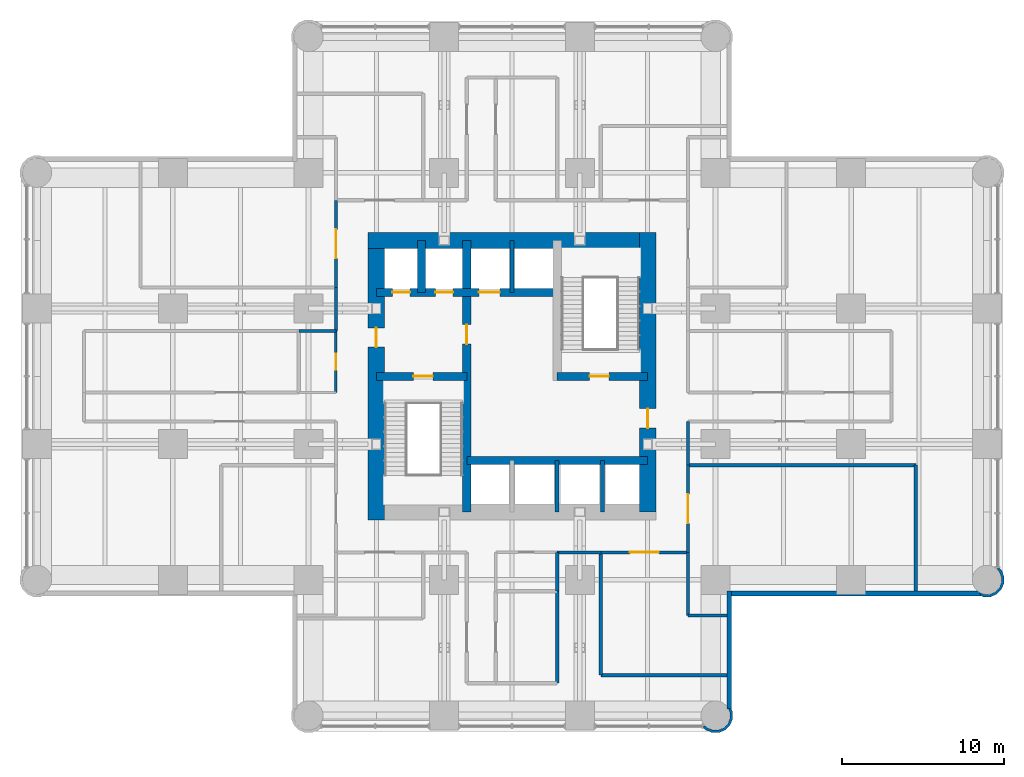
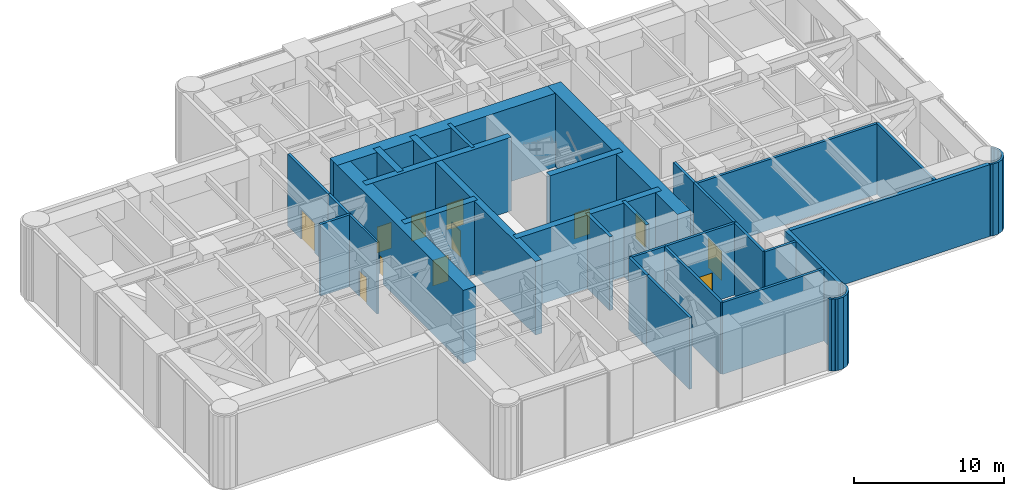
# One storey, part 9 of 13: 32 walls, 12 doors, 12 openings.
"""IFC4 building model written with IfcOpenShell, lengths in metres."""

from ifc_helpers import new_model, si_unit, direction, frame, frame_2d, origin, place, context, subcontext, project, spatial, polyline, rectangle, outline, extrude, material, layer, layer_set, type_object, element, fill, save


model = new_model("IFC4")

# Units and contexts
model_context = context("Model", 3, precision=1e-05, world=origin(), true_north=direction((0.0, 1.0)))
body_context = subcontext(model_context, "Body", "Model", "MODEL_VIEW")
ifc_project = project(units=[si_unit("LENGTHUNIT", "METRE"), si_unit("AREAUNIT", "SQUARE_METRE"), si_unit("VOLUMEUNIT", "CUBIC_METRE"), si_unit("PLANEANGLEUNIT", "RADIAN"), si_unit("MASSUNIT", "GRAM", prefix="KILO")], contexts=[model_context])

# Site, building, storey
site_placement = place(None, origin())
site = spatial("IfcSite", under=ifc_project, at=site_placement, CompositionType="ELEMENT")
building_placement = place(site_placement, origin())
building = spatial("IfcBuilding", under=site, at=building_placement, Name="Torre Alcanfor", CompositionType="ELEMENT")
storey_placement = place(building_placement, frame((0.0, 0.0, 177.300048828125)))
storey = spatial("IfcBuildingStorey", under=building, at=storey_placement, Name="L46", CompositionType="ELEMENT", Elevation=177.300048828125)

# Wall, opening, door
ifc_material_1 = material(Name="Concrete f'c 70 MPa", Category="concrete")
ifc_layer_1 = layer(ifc_material_1, 0.5)
ifc_layer_set_1 = layer_set([ifc_layer_1], Name="Core inner wall 500 f'c70")
wall_type_1 = type_object("IfcWallType", Name="Core inner wall 500 f'c70", PredefinedType="SHEAR", material=ifc_layer_set_1)
wall_1_placement = place(storey_placement, frame((26.60009765625, 21.0, 0.0), z_axis=(0.0, 0.0, 1.0), x_axis=(0.0, 1.0, 0.0)))
wall_1 = element("IfcWall", 1, at=wall_1_placement, inside=storey, type_object=wall_type_1, Name="Core wall X266 L46", PredefinedType="SHEAR", context=body_context, shape_type="SweptSolid", body=[
    extrude(rectangle(XDim=16.800048828125, YDim=0.5, at=frame_2d((8.39990234375, 0.0))), origin(), (0.0, 0.0, 1.0), 6.0),
])
opening_1_placement = place(wall_1_placement, frame((10.39990234375, 0.0, 0.0)))
opening_1 = element("IfcOpeningElement", 2, at=opening_1_placement, cuts=wall_1, Name="Opening D-L1", PredefinedType="OPENING", context=body_context, shape_type="SweptSolid", body=[
    extrude(rectangle(XDim=1.199951171875, YDim=2.10009765625, at=frame_2d((0.60009765625, 1.050048828125))), frame((0.0, 0.260009765625, 0.0), z_axis=(0.0, -1.0, 0.0), x_axis=(1.0, 0.0, 0.0)), (0.0, 0.0, 1.0), 0.52001953125),
])
ifc_material_2 = material(Name="Galvanised steel sheet ASTM A653", Category="steel")
door_type_1 = type_object("IfcDoorType", Name="Lobby door FD120 1200x2100", OperationType="SINGLE_SWING_LEFT", PredefinedType="DOOR", material=ifc_material_2)
door_1_placement = place(opening_1_placement, origin())
door_1 = element("IfcDoor", 3, at=door_1_placement, inside=storey, type_object=door_type_1, Name="Lift lobby door L46", OperationType="SINGLE_SWING_LEFT", OverallHeight=2.10009765625, OverallWidth=1.199951171875, PredefinedType="DOOR", context=body_context, shape_type="SweptSolid", body=[
    extrude(rectangle(XDim=1.199951171875, YDim=2.10009765625, at=frame_2d((0.60009765625, 1.050048828125))), frame((0.0, 0.02490234375, 0.0), z_axis=(0.0, -1.0, 0.0), x_axis=(1.0, 0.0, 0.0)), (0.0, 0.0, 1.0), 0.050048828125),
])
fill(opening_1, door_1)

wall_2_placement = place(storey_placement, frame((21.0, 29.39990234375, 0.0), z_axis=(0.0, 0.0, 1.0), x_axis=(1.0, 0.0, 0.0)))
wall_2 = element("IfcWall", 4, at=wall_2_placement, inside=storey, type_object=wall_type_1, Name="Core wall Y294W L46", PredefinedType="SHEAR", context=body_context, shape_type="SweptSolid", body=[
    extrude(rectangle(XDim=5.60009765625, YDim=0.5, at=frame_2d((2.800048828125, 0.0))), origin(), (0.0, 0.0, 1.0), 6.0),
])
opening_2_placement = place(wall_2_placement, frame((2.300048828125, 0.0, 0.0)))
opening_2 = element("IfcOpeningElement", 5, at=opening_2_placement, cuts=wall_2, Name="Opening D-S2", PredefinedType="OPENING", context=body_context, shape_type="SweptSolid", body=[
    extrude(rectangle(XDim=1.199951171875, YDim=2.10009765625, at=frame_2d((0.60009765625, 1.050048828125))), frame((0.0, 0.260009765625, 0.0), z_axis=(0.0, -1.0, 0.0), x_axis=(1.0, 0.0, 0.0)), (0.0, 0.0, 1.0), 0.52001953125),
])
ifc_material_3 = material(Name="Galvanised steel sheet ASTM A653", Category="steel")
door_type_2 = type_object("IfcDoorType", Name="Stair enclosure door FD120 1200x2100", OperationType="SINGLE_SWING_LEFT", PredefinedType="DOOR", material=ifc_material_3)
door_2_placement = place(opening_2_placement, frame((1.199951171875, 0.0, 0.0), z_axis=(0.0, 0.0, 1.0), x_axis=(-1.0, 0.0, 0.0)))
door_2 = element("IfcDoor", 6, at=door_2_placement, inside=storey, type_object=door_type_2, Name="Stair S1 door L46", OperationType="SINGLE_SWING_LEFT", OverallHeight=2.10009765625, OverallWidth=1.199951171875, PredefinedType="DOOR", context=body_context, shape_type="SweptSolid", body=[
    extrude(rectangle(XDim=1.199951171875, YDim=2.10009765625, at=frame_2d((0.599853515625, 1.050048828125))), frame((0.0, 0.025146484375, 0.0), z_axis=(0.0, -1.0, 0.0), x_axis=(1.0, 0.0, 0.0)), (0.0, 0.0, 1.0), 0.050048828125),
])
fill(opening_2, door_2)

# Wall, openings, doors
wall_3_placement = place(storey_placement, frame((21.0, 34.60009765625, 0.0), z_axis=(0.0, 0.0, 1.0), x_axis=(1.0, 0.0, 0.0)))
wall_3 = element("IfcWall", 7, at=wall_3_placement, inside=storey, type_object=wall_type_1, Name="Core wall Y346 L46", PredefinedType="SHEAR", context=body_context, shape_type="SweptSolid", body=[
    extrude(rectangle(XDim=11.199951171875, YDim=0.5, at=frame_2d((5.60009765625, 0.0))), origin(), (0.0, 0.0, 1.0), 6.0),
])
opening_3_placement = place(wall_3_placement, frame((1.0, 0.0, 0.0)))
opening_3 = element("IfcOpeningElement", 8, at=opening_3_placement, cuts=wall_3, Name="Opening LD2", PredefinedType="OPENING", context=body_context, shape_type="SweptSolid", body=[
    extrude(rectangle(XDim=1.10009765625, YDim=2.10009765625, at=frame_2d((0.550048828125, 1.050048828125))), frame((0.0, 0.260009765625, 0.0), z_axis=(0.0, -1.0, 0.0), x_axis=(1.0, 0.0, 0.0)), (0.0, 0.0, 1.0), 0.52001953125),
])
opening_4_placement = place(wall_3_placement, frame((3.64990234375, 0.0, 0.0)))
opening_4 = element("IfcOpeningElement", 9, at=opening_4_placement, cuts=wall_3, Name="Opening LD2", PredefinedType="OPENING", context=body_context, shape_type="SweptSolid", body=[
    extrude(rectangle(XDim=1.10009765625, YDim=2.10009765625, at=frame_2d((0.550048828125, 1.050048828125))), frame((0.0, 0.260009765625, 0.0), z_axis=(0.0, -1.0, 0.0), x_axis=(1.0, 0.0, 0.0)), (0.0, 0.0, 1.0), 0.52001953125),
])
opening_5_placement = place(wall_3_placement, frame((6.35009765625, 0.0, 0.0)))
opening_5 = element("IfcOpeningElement", 10, at=opening_5_placement, cuts=wall_3, Name="Opening LD3", PredefinedType="OPENING", context=body_context, shape_type="SweptSolid", body=[
    extrude(rectangle(XDim=1.300048828125, YDim=2.10009765625, at=frame_2d((0.64990234375, 1.050048828125))), frame((0.0, 0.260009765625, 0.0), z_axis=(0.0, -1.0, 0.0), x_axis=(1.0, 0.0, 0.0)), (0.0, 0.0, 1.0), 0.52001953125),
])
ifc_material_4 = material(Name="Galvanised steel sheet ASTM A653", Category="steel")
door_type_3 = type_object("IfcDoorType", Name="Firefighting lift landing door 1100x2100", OperationType="DOUBLE_DOOR_SLIDING", PredefinedType="DOOR", material=ifc_material_4)
door_3_placement = place(opening_3_placement, origin())
door_3 = element("IfcDoor", 11, at=door_3_placement, inside=storey, type_object=door_type_3, Name="Lift landing door FL1 L46", OperationType="DOUBLE_DOOR_SLIDING", OverallHeight=2.10009765625, OverallWidth=1.10009765625, PredefinedType="DOOR", context=body_context, shape_type="SweptSolid", body=[
    extrude(rectangle(XDim=1.10009765625, YDim=2.10009765625, at=frame_2d((0.550048828125, 1.050048828125))), frame((0.0, 0.02490234375, 0.0), z_axis=(0.0, -1.0, 0.0), x_axis=(1.0, 0.0, 0.0)), (0.0, 0.0, 1.0), 0.050048828125),
])
fill(opening_3, door_3)
door_4_placement = place(opening_4_placement, origin())
door_4 = element("IfcDoor", 12, at=door_4_placement, inside=storey, type_object=door_type_3, Name="Lift landing door FL2 L46", OperationType="DOUBLE_DOOR_SLIDING", OverallHeight=2.10009765625, OverallWidth=1.10009765625, PredefinedType="DOOR", context=body_context, shape_type="SweptSolid", body=[
    extrude(rectangle(XDim=1.10009765625, YDim=2.10009765625, at=frame_2d((0.550048828125, 1.050048828125))), frame((0.0, 0.02490234375, 0.0), z_axis=(0.0, -1.0, 0.0), x_axis=(1.0, 0.0, 0.0)), (0.0, 0.0, 1.0), 0.050048828125),
])
fill(opening_4, door_4)
ifc_material_5 = material(Name="Galvanised steel sheet ASTM A653", Category="steel")
door_type_4 = type_object("IfcDoorType", Name="Service lift landing door 1300x2100", OperationType="DOUBLE_DOOR_SLIDING", PredefinedType="DOOR", material=ifc_material_5)
door_5_placement = place(opening_5_placement, origin())
door_5 = element("IfcDoor", 13, at=door_5_placement, inside=storey, type_object=door_type_4, Name="Lift landing door SL1 L46", OperationType="DOUBLE_DOOR_SLIDING", OverallHeight=2.10009765625, OverallWidth=1.300048828125, PredefinedType="DOOR", context=body_context, shape_type="SweptSolid", body=[
    extrude(rectangle(XDim=1.300048828125, YDim=2.10009765625, at=frame_2d((0.64990234375, 1.050048828125))), frame((0.0, 0.02490234375, 0.0), z_axis=(0.0, -1.0, 0.0), x_axis=(1.0, 0.0, 0.0)), (0.0, 0.0, 1.0), 0.050048828125),
])
fill(opening_5, door_5)

# Walls
wall_4_placement = place(storey_placement, frame((23.800048828125, 34.60009765625, 0.0), z_axis=(0.0, 0.0, 1.0), x_axis=(0.0, 1.0, 0.0)))
element("IfcWall", 14, at=wall_4_placement, inside=storey, type_object=wall_type_1, Name="Core wall X238 L46", PredefinedType="SHEAR", context=body_context, shape_type="SweptSolid", body=[
    extrude(rectangle(XDim=3.199951171875, YDim=0.5, at=frame_2d((1.60009765625, 0.0))), origin(), (0.0, 0.0, 1.0), 6.0),
])
wall_5_placement = place(storey_placement, frame((26.60009765625, 24.199951171875, 0.0), z_axis=(0.0, 0.0, 1.0), x_axis=(1.0, 0.0, 0.0)))
element("IfcWall", 15, at=wall_5_placement, inside=storey, type_object=wall_type_1, Name="Core wall Y242 L46", PredefinedType="SHEAR", context=body_context, shape_type="SweptSolid", body=[
    extrude(rectangle(XDim=11.199951171875, YDim=0.5, at=frame_2d((5.60009765625, 0.0))), origin(), (0.0, 0.0, 1.0), 6.0),
])

# Wall, opening, door
wall_6_placement = place(storey_placement, frame((32.199951171875, 29.39990234375, 0.0), z_axis=(0.0, 0.0, 1.0), x_axis=(1.0, 0.0, 0.0)))
wall_6 = element("IfcWall", 16, at=wall_6_placement, inside=storey, type_object=wall_type_1, Name="Core wall Y294E L46", PredefinedType="SHEAR", context=body_context, shape_type="SweptSolid", body=[
    extrude(rectangle(XDim=5.60009765625, YDim=0.5, at=frame_2d((2.800048828125, 0.0))), origin(), (0.0, 0.0, 1.0), 6.0),
])
opening_6_placement = place(wall_6_placement, frame((2.0, 0.0, 0.0)))
opening_6 = element("IfcOpeningElement", 17, at=opening_6_placement, cuts=wall_6, Name="Opening D-S2", PredefinedType="OPENING", context=body_context, shape_type="SweptSolid", body=[
    extrude(rectangle(XDim=1.199951171875, YDim=2.10009765625, at=frame_2d((0.60009765625, 1.050048828125))), frame((0.0, 0.260009765625, 0.0), z_axis=(0.0, -1.0, 0.0), x_axis=(1.0, 0.0, 0.0)), (0.0, 0.0, 1.0), 0.52001953125),
])
door_6_placement = place(opening_6_placement, origin())
door_6 = element("IfcDoor", 18, at=door_6_placement, inside=storey, type_object=door_type_2, Name="Stair S2 door L46", OperationType="SINGLE_SWING_LEFT", OverallHeight=2.10009765625, OverallWidth=1.199951171875, PredefinedType="DOOR", context=body_context, shape_type="SweptSolid", body=[
    extrude(rectangle(XDim=1.199951171875, YDim=2.10009765625, at=frame_2d((0.60009765625, 1.050048828125))), frame((0.0, 0.02490234375, 0.0), z_axis=(0.0, -1.0, 0.0), x_axis=(1.0, 0.0, 0.0)), (0.0, 0.0, 1.0), 0.050048828125),
])
fill(opening_6, door_6)

# Walls
ifc_material_6 = material(Name="Concrete f'c 70 MPa", Category="concrete")
ifc_layer_2 = layer(ifc_material_6, 0.25)
ifc_layer_set_2 = layer_set([ifc_layer_2], Name="Core shaft wall 250 f'c70")
wall_type_2 = type_object("IfcWallType", Name="Core shaft wall 250 f'c70", PredefinedType="SHEAR", material=ifc_layer_set_2)
for number, where, z_axis, x_axis, name in (
    (19, (32.199951171875, 21.0, 0.0), (0.0, 0.0, 1.0), (0.0, 1.0, 0.0), "Core wall X322S L46"),
    (20, (35.0, 21.0, 0.0), (0.0, 0.0, 1.0), (0.0, 1.0, 0.0), "Core wall X350S L46"),
    (21, (29.39990234375, 34.60009765625, 0.0), (0.0, 0.0, 1.0), (0.0, 1.0, 0.0), "Core wall X294N L46"),
):
    element("IfcWall", number, at=place(storey_placement, frame(where, z_axis=z_axis, x_axis=x_axis)), inside=storey, type_object=wall_type_2, Name=name, PredefinedType="SHEAR", context=body_context, shape_type="SweptSolid", body=[
        extrude(rectangle(XDim=3.199951171875, YDim=0.25, at=frame_2d((1.60009765625, 0.0))), origin(), (0.0, 0.0, 1.0), 6.0),
    ])

# Wall, opening, door
ifc_material_7 = material(Name="Concrete f'c 70 MPa", Category="concrete")
ifc_layer_3 = layer(ifc_material_7, 1.0)
ifc_layer_set_3 = layer_set([ifc_layer_3], Name="Core wall 1000 f'c70")
wall_type_3 = type_object("IfcWallType", Name="Core wall 1000 f'c70", PredefinedType="SHEAR", material=ifc_layer_set_3)
wall_7_placement = place(storey_placement, frame((37.800048828125, 21.0, 0.0), z_axis=(0.0, 0.0, 1.0), x_axis=(0.0, 1.0, 0.0)))
wall_7 = element("IfcWall", 22, at=wall_7_placement, inside=storey, type_object=wall_type_3, Name="Core wall OUT-E L46", PredefinedType="SHEAR", context=body_context, shape_type="SweptSolid", body=[
    extrude(rectangle(XDim=17.300048828125, YDim=1.0, at=frame_2d((8.64990234375, 0.0))), origin(), (0.0, 0.0, 1.0), 6.0),
])
opening_7_placement = place(wall_7_placement, frame((5.199951171875, 0.0, 0.0)))
opening_7 = element("IfcOpeningElement", 23, at=opening_7_placement, cuts=wall_7, Name="Opening D-L1", PredefinedType="OPENING", context=body_context, shape_type="SweptSolid", body=[
    extrude(rectangle(XDim=1.199951171875, YDim=2.10009765625, at=frame_2d((0.60009765625, 1.050048828125))), frame((0.0, 0.510009765625, 0.0), z_axis=(0.0, -1.0, 0.0), x_axis=(1.0, 0.0, 0.0)), (0.0, 0.0, 1.0), 1.02001953125),
])
door_7_placement = place(opening_7_placement, origin())
door_7 = element("IfcDoor", 24, at=door_7_placement, inside=storey, type_object=door_type_1, Name="Lift lobby entrance door L46", OperationType="SINGLE_SWING_LEFT", OverallHeight=2.10009765625, OverallWidth=1.199951171875, PredefinedType="DOOR", context=body_context, shape_type="SweptSolid", body=[
    extrude(rectangle(XDim=1.199951171875, YDim=2.10009765625, at=frame_2d((0.60009765625, 1.050048828125))), frame((0.0, 0.02490234375, 0.0), z_axis=(0.0, -1.0, 0.0), x_axis=(1.0, 0.0, 0.0)), (0.0, 0.0, 1.0), 0.050048828125),
])
fill(opening_7, door_7)

# Wall
wall_8_placement = place(storey_placement, frame((37.800048828125, 37.800048828125, 0.0), z_axis=(0.0, 0.0, 1.0), x_axis=(-1.0, 0.0, 0.0)))
element("IfcWall", 25, at=wall_8_placement, inside=storey, type_object=wall_type_3, Name="Core wall OUT-N L46", PredefinedType="SHEAR", context=body_context, shape_type="SweptSolid", body=[
    extrude(rectangle(XDim=17.300048828125, YDim=1.0, at=frame_2d((8.64990234375, 0.0))), origin(), (0.0, 0.0, 1.0), 6.0),
])

# Wall, opening, door
wall_9_placement = place(storey_placement, frame((21.0, 37.800048828125, 0.0), z_axis=(0.0, 0.0, 1.0), x_axis=(0.0, -1.0, 0.0)))
wall_9 = element("IfcWall", 26, at=wall_9_placement, inside=storey, type_object=wall_type_3, Name="Core wall OUT-W L46", PredefinedType="SHEAR", context=body_context, shape_type="SweptSolid", body=[
    extrude(rectangle(XDim=17.300048828125, YDim=1.0, at=frame_2d((8.64990234375, 0.0))), origin(), (0.0, 0.0, 1.0), 6.0),
])
opening_8_placement = place(wall_9_placement, frame((5.39990234375, 0.0, 0.0)))
opening_8 = element("IfcOpeningElement", 27, at=opening_8_placement, cuts=wall_9, Name="Opening D-L1", PredefinedType="OPENING", context=body_context, shape_type="SweptSolid", body=[
    extrude(rectangle(XDim=1.199951171875, YDim=2.10009765625, at=frame_2d((0.60009765625, 1.050048828125))), frame((0.0, 0.510009765625, 0.0), z_axis=(0.0, -1.0, 0.0), x_axis=(1.0, 0.0, 0.0)), (0.0, 0.0, 1.0), 1.02001953125),
])
door_8_placement = place(opening_8_placement, origin())
door_8 = element("IfcDoor", 28, at=door_8_placement, inside=storey, type_object=door_type_1, Name="Firefighting lobby door L46", OperationType="SINGLE_SWING_LEFT", OverallHeight=2.10009765625, OverallWidth=1.199951171875, PredefinedType="DOOR", context=body_context, shape_type="SweptSolid", body=[
    extrude(rectangle(XDim=1.199951171875, YDim=2.10009765625, at=frame_2d((0.60009765625, 1.050048828125))), frame((0.0, 0.02490234375, 0.0), z_axis=(0.0, -1.0, 0.0), x_axis=(1.0, 0.0, 0.0)), (0.0, 0.0, 1.0), 0.050048828125),
])
fill(opening_8, door_8)

# Walls
ifc_material_8 = material(Name="Limestone cladding", Category="masonry")
ifc_layer_4 = layer(ifc_material_8, 0.0400390625, Name="Facing")
ifc_material_9 = material(Name="Ventilated air cavity")
ifc_layer_5 = layer(ifc_material_9, 0.02001953125, ventilated=True, Name="Ventilated joint")
ifc_material_10 = material(Name="Mineral wool insulation", Category="insulation")
ifc_layer_6 = layer(ifc_material_10, 0.10009765625, Name="Insulation")
ifc_material_11 = material(Name="Concrete f'c 35 MPa", Category="concrete")
ifc_layer_7 = layer(ifc_material_11, 0.139892578125, Name="Backing")
ifc_layer_set_4 = layer_set([ifc_layer_4, ifc_layer_5, ifc_layer_6, ifc_layer_7], Name="External wall stone-clad 300")
wall_type_4 = type_object("IfcWallType", Name="External wall stone-clad 300", PredefinedType="SOLIDWALL", material=ifc_layer_set_4)
wall_10_placement = place(storey_placement, frame((42.85009765625, 8.800048828125, 0.0), z_axis=(0.0, 0.0, 1.0), x_axis=(0.0, 1.0, 0.0)))
element("IfcWall", 29, at=wall_10_placement, inside=storey, type_object=wall_type_4, Name="External wall L46 6", PredefinedType="SOLIDWALL", context=body_context, shape_type="SweptSolid", body=[
    extrude(rectangle(XDim=7.300048828125, YDim=0.300048828125, at=frame_2d((3.64990234375, 0.0))), origin(), (0.0, 0.0, 1.0), 5.849853515625),
])
wall_11_placement = place(storey_placement, frame((43.0, 15.949951171875, 0.0), z_axis=(0.0, 0.0, 1.0), x_axis=(1.0, 0.0, 0.0)))
element("IfcWall", 30, at=wall_11_placement, inside=storey, type_object=wall_type_4, Name="External wall L46 7", PredefinedType="SOLIDWALL", context=body_context, shape_type="SweptSolid", body=[
    extrude(rectangle(XDim=15.39990234375, YDim=0.300048828125, at=frame_2d((7.699951171875, 0.0))), origin(), (0.0, 0.0, 1.0), 5.849853515625),
])

# Wall, opening, door
ifc_material_12 = material(Name="Concrete block masonry, hollow blocks NMX-C-404 9 MPa", Category="masonry")
ifc_layer_8 = layer(ifc_material_12, 0.199951171875)
ifc_layer_set_5 = layer_set([ifc_layer_8], Name="Plant room wall 200 EI 60")
wall_type_5 = type_object("IfcWallType", Name="Plant room wall 200 EI 60", PredefinedType="PARTITIONING", material=ifc_layer_set_5)
wall_12_placement = place(storey_placement, frame((40.300048828125, 23.89990234375, 0.0), z_axis=(0.0, 0.0, 1.0), x_axis=(0.0, -1.0, 0.0)))
wall_12 = element("IfcWall", 31, at=wall_12_placement, inside=storey, type_object=wall_type_5, Name="Partition L46-CORR / L46-E1", PredefinedType="PARTITIONING", context=body_context, shape_type="SweptSolid", body=[
    extrude(rectangle(XDim=5.39990234375, YDim=0.199951171875, at=frame_2d((2.699951171875, 0.0))), origin(), (0.0, 0.0, 1.0), 5.849853515625),
])
opening_9_placement = place(wall_12_placement, frame((1.800048828125, 0.0, 0.0)))
opening_9 = element("IfcOpeningElement", 32, at=opening_9_placement, cuts=wall_12, Name="Opening D-P1", PredefinedType="OPENING", context=body_context, shape_type="SweptSolid", body=[
    extrude(rectangle(XDim=1.800048828125, YDim=2.39990234375, at=frame_2d((0.89990234375, 1.199951171875))), frame((0.0, 0.10986328125, 0.0), z_axis=(0.0, -1.0, 0.0), x_axis=(1.0, 0.0, 0.0)), (0.0, 0.0, 1.0), 0.219970703125),
])
ifc_material_13 = material(Name="Galvanised steel sheet ASTM A653", Category="steel")
door_type_5 = type_object("IfcDoorType", Name="Plant room door FD60 1800x2400", OperationType="DOUBLE_DOOR_SINGLE_SWING", PredefinedType="DOOR", material=ifc_material_13)
door_9_placement = place(opening_9_placement, origin())
door_9 = element("IfcDoor", 33, at=door_9_placement, inside=storey, type_object=door_type_5, Name="Door L46-E1 chilled water pump room", OperationType="DOUBLE_DOOR_SINGLE_SWING", OverallHeight=2.39990234375, OverallWidth=1.800048828125, PredefinedType="DOOR", context=body_context, shape_type="SweptSolid", body=[
    extrude(rectangle(XDim=1.800048828125, YDim=2.39990234375, at=frame_2d((0.89990234375, 1.199951171875))), frame((0.0, 0.02490234375, 0.0), z_axis=(0.0, -1.0, 0.0), x_axis=(1.0, 0.0, 0.0)), (0.0, 0.0, 1.0), 0.050048828125),
])
fill(opening_9, door_9)

# Wall
wall_13_placement = place(storey_placement, frame((40.300048828125, 26.60009765625, 0.0), z_axis=(0.0, 0.0, 1.0), x_axis=(0.0, -1.0, 0.0)))
element("IfcWall", 34, at=wall_13_placement, inside=storey, type_object=wall_type_5, Name="Partition L46-CORR / L46-EH", PredefinedType="PARTITIONING", context=body_context, shape_type="SweptSolid", body=[
    extrude(rectangle(XDim=2.7001953125, YDim=0.199951171875, at=frame_2d((1.35009765625, 0.0))), origin(), (0.0, 0.0, 1.0), 5.849853515625),
])

# Wall, opening, door
wall_14_placement = place(storey_placement, frame((40.300048828125, 18.5, 0.0), z_axis=(0.0, 0.0, 1.0), x_axis=(-1.0, 0.0, 0.0)))
wall_14 = element("IfcWall", 35, at=wall_14_placement, inside=storey, type_object=wall_type_5, Name="Partition L46-CORR / L46-S2", PredefinedType="PARTITIONING", context=body_context, shape_type="SweptSolid", body=[
    extrude(rectangle(XDim=5.400146484375, YDim=0.199951171875, at=frame_2d((2.7001953125, 0.0))), origin(), (0.0, 0.0, 1.0), 5.849853515625),
])
opening_10_placement = place(wall_14_placement, frame((1.800048828125, 0.0, 0.0)))
opening_10 = element("IfcOpeningElement", 36, at=opening_10_placement, cuts=wall_14, Name="Opening D-P1", PredefinedType="OPENING", context=body_context, shape_type="SweptSolid", body=[
    extrude(rectangle(XDim=1.800048828125, YDim=2.39990234375, at=frame_2d((0.89990234375, 1.199951171875))), frame((0.0, 0.10986328125, 0.0), z_axis=(0.0, -1.0, 0.0), x_axis=(1.0, 0.0, 0.0)), (0.0, 0.0, 1.0), 0.219970703125),
])
door_10_placement = place(opening_10_placement, origin())
door_10 = element("IfcDoor", 37, at=door_10_placement, inside=storey, type_object=door_type_5, Name="Door L46-S2 smoke extract fan plant room", OperationType="DOUBLE_DOOR_SINGLE_SWING", OverallHeight=2.39990234375, OverallWidth=1.800048828125, PredefinedType="DOOR", context=body_context, shape_type="SweptSolid", body=[
    extrude(rectangle(XDim=1.800048828125, YDim=2.39990234375, at=frame_2d((0.89990234375, 1.199951171875))), frame((0.0, 0.02490234375, 0.0), z_axis=(0.0, -1.0, 0.0), x_axis=(1.0, 0.0, 0.0)), (0.0, 0.0, 1.0), 0.050048828125),
])
fill(opening_10, door_10)

# Wall
wall_15_placement = place(storey_placement, frame((34.89990234375, 18.5, 0.0), z_axis=(0.0, 0.0, 1.0), x_axis=(-1.0, 0.0, 0.0)))
element("IfcWall", 38, at=wall_15_placement, inside=storey, type_object=wall_type_5, Name="Partition L46-CORR / L46-SH", PredefinedType="PARTITIONING", context=body_context, shape_type="SweptSolid", body=[
    extrude(rectangle(XDim=2.699951171875, YDim=0.199951171875, at=frame_2d((1.35009765625, 0.0))), origin(), (0.0, 0.0, 1.0), 5.849853515625),
])

# Wall, opening, door
wall_16_placement = place(storey_placement, frame((18.5, 34.89990234375, 0.0), z_axis=(0.0, 0.0, 1.0), x_axis=(0.0, 1.0, 0.0)))
wall_16 = element("IfcWall", 39, at=wall_16_placement, inside=storey, type_object=wall_type_5, Name="Partition L46-CORR / L46-W2", PredefinedType="PARTITIONING", context=body_context, shape_type="SweptSolid", body=[
    extrude(rectangle(XDim=5.400146484375, YDim=0.199951171875, at=frame_2d((2.7001953125, 0.0))), origin(), (0.0, 0.0, 1.0), 5.849853515625),
])
opening_11_placement = place(wall_16_placement, frame((1.800048828125, 0.0, 0.0)))
opening_11 = element("IfcOpeningElement", 40, at=opening_11_placement, cuts=wall_16, Name="Opening D-P1", PredefinedType="OPENING", context=body_context, shape_type="SweptSolid", body=[
    extrude(rectangle(XDim=1.800048828125, YDim=2.39990234375, at=frame_2d((0.89990234375, 1.199951171875))), frame((0.0, 0.10986328125, 0.0), z_axis=(0.0, -1.0, 0.0), x_axis=(1.0, 0.0, 0.0)), (0.0, 0.0, 1.0), 0.219970703125),
])
door_11_placement = place(opening_11_placement, origin())
door_11 = element("IfcDoor", 41, at=door_11_placement, inside=storey, type_object=door_type_5, Name="Door L46-W2 booster pump room", OperationType="DOUBLE_DOOR_SINGLE_SWING", OverallHeight=2.39990234375, OverallWidth=1.800048828125, PredefinedType="DOOR", context=body_context, shape_type="SweptSolid", body=[
    extrude(rectangle(XDim=1.800048828125, YDim=2.39990234375, at=frame_2d((0.89990234375, 1.199951171875))), frame((0.0, 0.02490234375, 0.0), z_axis=(0.0, -1.0, 0.0), x_axis=(1.0, 0.0, 0.0)), (0.0, 0.0, 1.0), 0.050048828125),
])
fill(opening_11, door_11)

# Walls
wall_17_placement = place(storey_placement, frame((18.5, 32.199951171875, 0.0), z_axis=(0.0, 0.0, 1.0), x_axis=(0.0, 1.0, 0.0)))
element("IfcWall", 42, at=wall_17_placement, inside=storey, type_object=wall_type_5, Name="Partition L46-CORR / L46-WH", PredefinedType="PARTITIONING", context=body_context, shape_type="SweptSolid", body=[
    extrude(rectangle(XDim=2.699951171875, YDim=0.199951171875, at=frame_2d((1.35009765625, 0.0))), origin(), (0.0, 0.0, 1.0), 5.849853515625),
])
wall_18_placement = place(storey_placement, frame((40.300048828125, 23.89990234375, 0.0), z_axis=(0.0, 0.0, 1.0), x_axis=(1.0, 0.0, 0.0)))
element("IfcWall", 43, at=wall_18_placement, inside=storey, type_object=wall_type_5, Name="Partition L46-E1 / L46-EH", PredefinedType="PARTITIONING", context=body_context, shape_type="SweptSolid", body=[
    extrude(rectangle(XDim=14.099853515625, YDim=0.199951171875, at=frame_2d((7.0498046875, 0.0))), origin(), (0.0, 0.0, 1.0), 5.75),
])
wall_19_placement = place(storey_placement, frame((54.39990234375, 23.89990234375, 0.0), z_axis=(0.0, 0.0, 1.0), x_axis=(0.0, -1.0, 0.0)))
element("IfcWall", 44, at=wall_19_placement, inside=storey, type_object=wall_type_5, Name="Partition L46-E1 / L46-EH", PredefinedType="PARTITIONING", context=body_context, shape_type="SweptSolid", body=[
    extrude(rectangle(XDim=7.7998046875, YDim=0.199951171875, at=frame_2d((3.89990234375, 0.0))), origin(), (0.0, 0.0, 1.0), 5.75),
])
wall_20_placement = place(storey_placement, frame((42.699951171875, 14.60009765625, 0.0), z_axis=(0.0, 0.0, 1.0), x_axis=(-1.0, 0.0, 0.0)))
element("IfcWall", 45, at=wall_20_placement, inside=storey, type_object=wall_type_5, Name="Partition L46-E1 / L46-S2", PredefinedType="PARTITIONING", context=body_context, shape_type="SweptSolid", body=[
    extrude(rectangle(XDim=2.39990234375, YDim=0.199951171875, at=frame_2d((1.199951171875, 0.0))), origin(), (0.0, 0.0, 1.0), 5.849853515625),
])
wall_21_placement = place(storey_placement, frame((40.300048828125, 14.60009765625, 0.0), z_axis=(0.0, 0.0, 1.0), x_axis=(0.0, 1.0, 0.0)))
element("IfcWall", 46, at=wall_21_placement, inside=storey, type_object=wall_type_5, Name="Partition L46-E1 / L46-S2", PredefinedType="PARTITIONING", context=body_context, shape_type="SweptSolid", body=[
    extrude(rectangle(XDim=3.89990234375, YDim=0.199951171875, at=frame_2d((1.949951171875, 0.0))), origin(), (0.0, 0.0, 1.0), 5.849853515625),
])
wall_22_placement = place(storey_placement, frame((42.699951171875, 10.89990234375, 0.0), z_axis=(0.0, 0.0, 1.0), x_axis=(-1.0, 0.0, 0.0)))
element("IfcWall", 47, at=wall_22_placement, inside=storey, type_object=wall_type_5, Name="Partition L46-S2 / L46-SH", PredefinedType="PARTITIONING", context=body_context, shape_type="SweptSolid", body=[
    extrude(rectangle(XDim=7.800048828125, YDim=0.199951171875, at=frame_2d((3.89990234375, 0.0))), origin(), (0.0, 0.0, 1.0), 5.849853515625),
])
wall_23_placement = place(storey_placement, frame((34.89990234375, 10.89990234375, 0.0), z_axis=(0.0, 0.0, 1.0), x_axis=(0.0, 1.0, 0.0)))
element("IfcWall", 48, at=wall_23_placement, inside=storey, type_object=wall_type_5, Name="Partition L46-S2 / L46-SH", PredefinedType="PARTITIONING", context=body_context, shape_type="SweptSolid", body=[
    extrude(rectangle(XDim=7.60009765625, YDim=0.199951171875, at=frame_2d((3.800048828125, 0.0))), origin(), (0.0, 0.0, 1.0), 5.849853515625),
])
wall_24_placement = place(storey_placement, frame((32.199951171875, 18.5, 0.0), z_axis=(0.0, 0.0, 1.0), x_axis=(0.0, -1.0, 0.0)))
element("IfcWall", 49, at=wall_24_placement, inside=storey, type_object=wall_type_5, Name="Partition L46-S3 / L46-SH", PredefinedType="PARTITIONING", context=body_context, shape_type="SweptSolid", body=[
    extrude(rectangle(XDim=2.39990234375, YDim=0.199951171875, at=frame_2d((1.199951171875, 0.0))), origin(), (0.0, 0.0, 1.0), 5.849853515625),
])
wall_25_placement = place(storey_placement, frame((32.199951171875, 16.10009765625, 0.0), z_axis=(0.0, 0.0, 1.0), x_axis=(0.0, -1.0, 0.0)))
element("IfcWall", 50, at=wall_25_placement, inside=storey, type_object=wall_type_5, Name="Partition L46-S4 / L46-SH", PredefinedType="PARTITIONING", context=body_context, shape_type="SweptSolid", body=[
    extrude(rectangle(XDim=5.7001953125, YDim=0.199951171875, at=frame_2d((2.85009765625, 0.0))), origin(), (0.0, 0.0, 1.0), 5.849853515625),
])
wall_26_placement = place(storey_placement, frame((16.199951171875, 32.199951171875, 0.0), z_axis=(0.0, 0.0, 1.0), x_axis=(1.0, 0.0, 0.0)))
element("IfcWall", 51, at=wall_26_placement, inside=storey, type_object=wall_type_5, Name="Partition L46-WW / L46-WH", PredefinedType="PARTITIONING", context=body_context, shape_type="SweptSolid", body=[
    extrude(rectangle(XDim=2.300048828125, YDim=0.199951171875, at=frame_2d((1.14990234375, 0.0))), origin(), (0.0, 0.0, 1.0), 5.849853515625),
])
ifc_layer_9 = layer(ifc_material_8, 0.0400390625, Name="Facing")
ifc_layer_10 = layer(ifc_material_9, 0.02001953125, ventilated=True, Name="Ventilated joint")
ifc_layer_11 = layer(ifc_material_10, 0.10009765625, Name="Insulation")
ifc_layer_12 = layer(ifc_material_11, 0.139892578125, Name="Backing")
ifc_layer_set_6 = layer_set([ifc_layer_9, ifc_layer_10, ifc_layer_11, ifc_layer_12], Name="Rounded corner pier stone-clad 300")
wall_type_6 = type_object("IfcWallType", Name="Rounded corner pier stone-clad 300", PredefinedType="SOLIDWALL", material=ifc_layer_set_6)
wall_27_placement = place(storey_placement, frame((41.302657946, 7.711440591, 0.0), z_axis=(0.0, 0.0, 1.0), x_axis=(0.382241468967, -0.924062475919, 0.0)))
element("IfcWall", 52, at=wall_27_placement, inside=storey, type_object=wall_type_6, Name="Corner pier L46 16", PredefinedType="SOLIDWALL", context=body_context, shape_type="SweptSolid", body=[
    extrude(outline(polyline([(0.23026356066077436, 1.806570886251653), (-0.15934969517729658, 1.9677356853008217), (-0.32769431064795784, 1.9676222385452162), (-0.357147502844118, 1.9845613125891484), (-0.4585019850943065, 1.8085189629834166), (-0.19086661800364801, 1.8085120219060247), (0.1403159295182329, 1.6715172766806747), (0.393878247207776, 1.4184121788023711), (0.5311854262158134, 1.0873712865192475), (0.531337144496806, 0.7287842539553244), (0.3943423992714561, 0.3976017064334435), (0.14091837953160807, 0.14390710822462494), (-0.007699207948098724, 0.0822643862422112), (-0.057439125662752354, -0.03798104824631912), (0.03009413621632788, -0.07418946864647974), (0.23110822966045647, 0.009372859687536858), (0.38249997325710866, 0.16075407841846734), (0.4015745958723875, 0.15577003782222257), (0.410298706390425, 0.18835717298881244), (0.5291704076520245, 0.3077473959620366), (0.6902418860300585, 0.6971350506096976), (0.6900592902996057, 1.1188795141239198), (0.528638096935274, 1.5085087082600852), (0.23026356066077436, 1.806570886251653)])), origin(), (0.0, 0.0, 1.0), 5.849853515625),
])
wall_28_placement = place(storey_placement, frame((58.436037137, 15.890092843, 0.0), z_axis=(0.0, 0.0, 1.0), x_axis=(0.924062475919, -0.382241468967, 0.0)))
element("IfcWall", 53, at=wall_28_placement, inside=storey, type_object=wall_type_6, Name="Corner pier L46 17", PredefinedType="SOLIDWALL", context=body_context, shape_type="SweptSolid", body=[
    extrude(outline(polyline([(0.7597498487165509, 1.7317727629871276), (0.740675226101272, 1.7267887223908829), (0.5892834825046198, 1.8781699411218136), (0.3885883109220357, 1.9615999889365545), (0.3008294478525455, 1.9252982478652596), (0.35047604489606465, 1.8052784145671392), (0.49918695304690586, 1.7434100913943154), (0.7525176521156194, 1.4899410943759068), (0.8895123973409693, 1.158758546854026), (0.8893606790599768, 0.8001715142901029), (0.7520535000519394, 0.4691306220069792), (0.49858450303353075, 0.21579992293826555), (0.16740195551164988, 0.0788051777129156), (-0.10032673225014324, 0.07902383782593364), (0.0010277500000453535, -0.09701851177979792), (0.030480942196205615, -0.08007943773586594), (0.19882555766686671, -0.08019288449147127), (0.5884388135049378, 0.08097191455769723), (0.8868133497794374, 0.3790340925492652), (1.048234543143769, 0.7686632866854306), (1.0487360607357663, 1.1902754696803772), (0.8875712616865978, 1.5798887255184484), (0.7684739592345884, 1.6991856278205377), (0.7597498487165509, 1.7317727629871276)])), origin(), (0.0, 0.0, 1.0), 5.849853515625),
])

# Wall, opening, door
ifc_material_14 = material(Name="Cement board on steel studs", Category="steel")
ifc_layer_13 = layer(ifc_material_14, 0.14990234375)
ifc_layer_set_7 = layer_set([ifc_layer_13], Name="Wet area partition 150")
wall_type_7 = type_object("IfcWallType", Name="Wet area partition 150", PredefinedType="PARTITIONING", material=ifc_layer_set_7)
wall_29_placement = place(storey_placement, frame((18.5, 28.39990234375, 0.0), z_axis=(0.0, 0.0, 1.0), x_axis=(0.0, 1.0, 0.0)))
wall_29 = element("IfcWall", 54, at=wall_29_placement, inside=storey, type_object=wall_type_7, Name="Partition L46-CORR / L46-WW", PredefinedType="PARTITIONING", context=body_context, shape_type="SweptSolid", body=[
    extrude(rectangle(XDim=3.800048828125, YDim=0.14990234375, at=frame_2d((1.89990234375, 0.0))), origin(), (0.0, 0.0, 1.0), 5.849853515625),
])
opening_12_placement = place(wall_29_placement, frame((1.39990234375, 0.0, 0.0)))
opening_12 = element("IfcOpeningElement", 55, at=opening_12_placement, cuts=wall_29, Name="Opening D-W2", PredefinedType="OPENING", context=body_context, shape_type="SweptSolid", body=[
    extrude(rectangle(XDim=1.0, YDim=2.10009765625, at=frame_2d((0.5, 1.050048828125))), frame((0.0, 0.0849609375, 0.0), z_axis=(0.0, -1.0, 0.0), x_axis=(1.0, 0.0, 0.0)), (0.0, 0.0, 1.0), 0.169921875),
])
ifc_material_15 = material(Name="Timber", Category="wood")
door_type_6 = type_object("IfcDoorType", Name="Accessible WC door 1000x2100", OperationType="SINGLE_SWING_LEFT", PredefinedType="DOOR", material=ifc_material_15)
door_12_placement = place(opening_12_placement, frame((1.0, 0.0, 0.0), z_axis=(0.0, 0.0, 1.0), x_axis=(-1.0, 0.0, 0.0)))
door_12 = element("IfcDoor", 56, at=door_12_placement, inside=storey, type_object=door_type_6, Name="Door L46-WW accessible wc", OperationType="SINGLE_SWING_LEFT", OverallHeight=2.10009765625, OverallWidth=1.0, PredefinedType="DOOR", context=body_context, shape_type="SweptSolid", body=[
    extrude(rectangle(XDim=1.0, YDim=2.10009765625, at=frame_2d((0.5, 1.050048828125))), frame((0.0, 0.025146484375, 0.0), z_axis=(0.0, -1.0, 0.0), x_axis=(1.0, 0.0, 0.0)), (0.0, 0.0, 1.0), 0.050048828125),
])
fill(opening_12, door_12)

save(model, "model.ifc")
